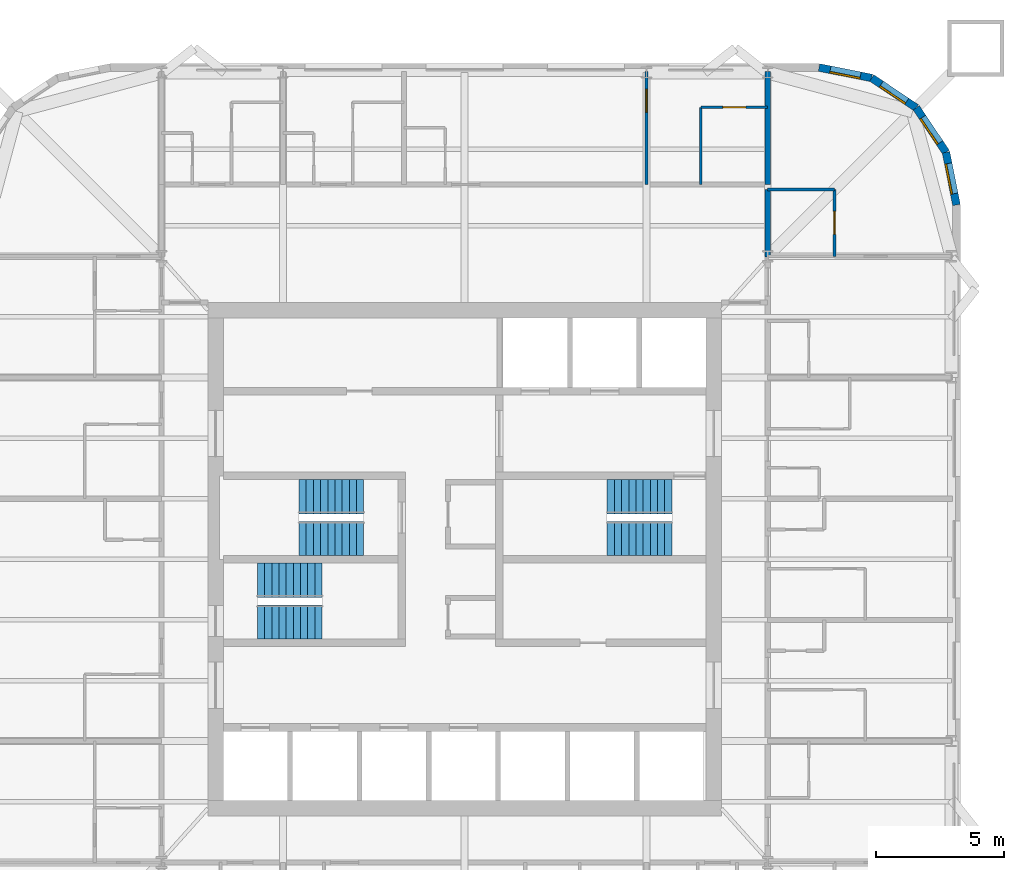
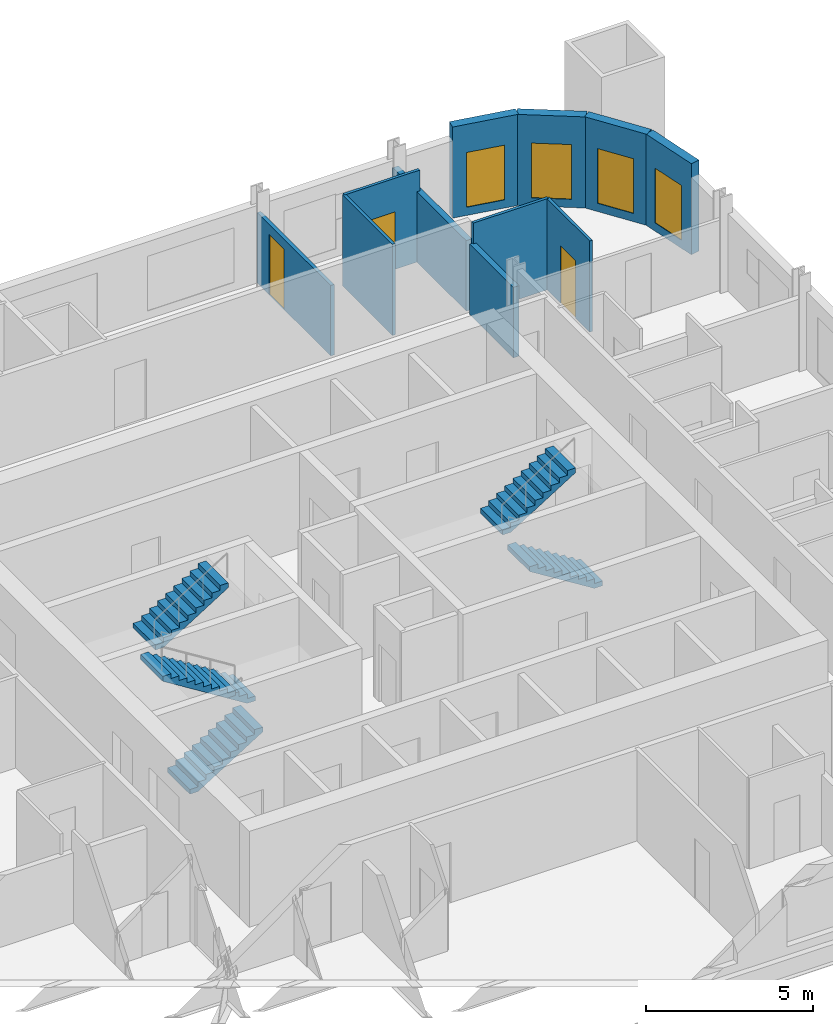
# One storey, part 8 of 9: 11 walls, 6 stair flights, 4 windows, 3 doors, 7 openings, 3 elements without a shape of their own.
"""IFC4 building model written with IfcOpenShell, lengths in metres."""

from ifc_helpers import new_model, si_unit, direction, frame, frame_2d, origin, place, context, subcontext, project, spatial, polyline, rectangle, outline, extrude, material, layer, layer_set, type_object, element, fill, aggregate, save


model = new_model("IFC4")

# Units and contexts
model_context = context("Model", 3, precision=1e-05, world=origin(), true_north=direction((0.0, 1.0)))
body_context = subcontext(model_context, "Body", "Model", "MODEL_VIEW")
ifc_project = project(units=[si_unit("LENGTHUNIT", "METRE"), si_unit("AREAUNIT", "SQUARE_METRE"), si_unit("VOLUMEUNIT", "CUBIC_METRE"), si_unit("PLANEANGLEUNIT", "RADIAN"), si_unit("MASSUNIT", "GRAM", prefix="KILO")], contexts=[model_context])

# Site, building, storey
site_placement = place(None, origin())
site = spatial("IfcSite", under=ifc_project, at=site_placement, CompositionType="ELEMENT")
building_placement = place(site_placement, origin())
building = spatial("IfcBuilding", under=site, at=building_placement, Name="Turquesa Mirador Hotel Tower", CompositionType="ELEMENT")
storey_placement = place(building_placement, frame((0.0, 0.0, 207.300048828125)))
storey = spatial("IfcBuildingStorey", under=building, at=storey_placement, Name="L56", CompositionType="ELEMENT", Elevation=207.300048828125)

# Wall
ifc_material_1 = material(Name="Gypsum board on steel studs", Category="steel")
ifc_layer_1 = layer(ifc_material_1, 0.10009765625)
ifc_layer_set_1 = layer_set([ifc_layer_1], Name="BATHROOM WALL 100")
wall_type_1 = type_object("IfcWallType", Name="BATHROOM WALL 100", PredefinedType="PARTITIONING", material=ifc_layer_set_1)
wall_1_placement = place(storey_placement, frame((66.800048828125, 59.39990234375, 0.0), z_axis=(0.0, 0.0, 1.0), x_axis=(1.0, 0.0, 0.0)))
element("IfcWall", 1, at=wall_1_placement, inside=storey, type_object=wall_type_1, Name="Partition L56 027", PredefinedType="PARTITIONING", context=body_context, shape_type="SweptSolid", body=[
    extrude(rectangle(XDim=2.599853515625, YDim=0.10009765625, at=frame_2d((1.2998046875, 0.0))), origin(), (0.0, 0.0, 1.0), 3.329833984375),
])

# Wall, opening, door
wall_2_placement = place(storey_placement, frame((64.199951171875, 62.60009765625, 0.0), z_axis=(0.0, 0.0, 1.0), x_axis=(1.0, 0.0, 0.0)))
wall_2 = element("IfcWall", 2, at=wall_2_placement, inside=storey, type_object=wall_type_1, Name="Partition L56 032", PredefinedType="PARTITIONING", context=body_context, shape_type="SweptSolid", body=[
    extrude(rectangle(XDim=2.60009765625, YDim=0.10009765625, at=frame_2d((1.300048828125, 0.0))), origin(), (0.0, 0.0, 1.0), 3.329833984375),
])
opening_1_placement = place(wall_2_placement, frame((0.85009765625, 0.0, 0.0)))
opening_1 = element("IfcOpeningElement", 3, at=opening_1_placement, cuts=wall_2, Name="Opening D02", PredefinedType="OPENING", context=body_context, shape_type="SweptSolid", body=[
    extrude(rectangle(XDim=0.89990234375, YDim=2.10009765625, at=frame_2d((0.449951171875, 1.050048828125))), frame((0.0, 0.06005859375, 0.0), z_axis=(0.0, -1.0, 0.0), x_axis=(1.0, 0.0, 0.0)), (0.0, 0.0, 1.0), 0.1201171875),
])
ifc_material_2 = material(Name="Timber veneered door", Category="wood")
door_type_1 = type_object("IfcDoorType", Name="DOOR 900X2100 EN-SUITE", OperationType="SINGLE_SWING_RIGHT", PredefinedType="DOOR", material=ifc_material_2)
door_1_placement = place(opening_1_placement, origin())
door_1 = element("IfcDoor", 4, at=door_1_placement, inside=storey, type_object=door_type_1, Name="Door 5603B", OperationType="SINGLE_SWING_RIGHT", OverallHeight=2.10009765625, OverallWidth=0.89990234375, PredefinedType="DOOR", context=body_context, shape_type="SweptSolid", body=[
    extrude(rectangle(XDim=0.89990234375, YDim=2.10009765625, at=frame_2d((0.449951171875, 1.050048828125))), frame((0.0, 0.02490234375, 0.0), z_axis=(0.0, -1.0, 0.0), x_axis=(1.0, 0.0, 0.0)), (0.0, 0.0, 1.0), 0.050048828125),
])
fill(opening_1, door_1)

wall_3_placement = place(storey_placement, frame((69.39990234375, 56.800048828125, 0.0), z_axis=(0.0, 0.0, 1.0), x_axis=(0.0, 1.0, 0.0)))
wall_3 = element("IfcWall", 5, at=wall_3_placement, inside=storey, type_object=wall_type_1, Name="Partition L56 075", PredefinedType="PARTITIONING", context=body_context, shape_type="SweptSolid", body=[
    extrude(rectangle(XDim=2.599853515625, YDim=0.10009765625, at=frame_2d((1.2998046875, 0.0))), origin(), (0.0, 0.0, 1.0), 3.329833984375),
])
opening_2_placement = place(wall_3_placement, frame((0.85009765625, 0.0, 0.0)))
opening_2 = element("IfcOpeningElement", 6, at=opening_2_placement, cuts=wall_3, Name="Opening D02", PredefinedType="OPENING", context=body_context, shape_type="SweptSolid", body=[
    extrude(rectangle(XDim=0.89990234375, YDim=2.10009765625, at=frame_2d((0.449951171875, 1.050048828125))), frame((0.0, 0.06005859375, 0.0), z_axis=(0.0, -1.0, 0.0), x_axis=(1.0, 0.0, 0.0)), (0.0, 0.0, 1.0), 0.1201171875),
])
door_2_placement = place(opening_2_placement, origin())
door_2 = element("IfcDoor", 7, at=door_2_placement, inside=storey, type_object=door_type_1, Name="Door 5612B", OperationType="SINGLE_SWING_RIGHT", OverallHeight=2.10009765625, OverallWidth=0.89990234375, PredefinedType="DOOR", context=body_context, shape_type="SweptSolid", body=[
    extrude(rectangle(XDim=0.89990234375, YDim=2.10009765625, at=frame_2d((0.449951171875, 1.050048828125))), frame((0.0, 0.02490234375, 0.0), z_axis=(0.0, -1.0, 0.0), x_axis=(1.0, 0.0, 0.0)), (0.0, 0.0, 1.0), 0.050048828125),
])
fill(opening_2, door_2)

# Walls
wall_4_placement = place(storey_placement, frame((64.199951171875, 59.60009765625, 0.0), z_axis=(0.0, 0.0, 1.0), x_axis=(0.0, 1.0, 0.0)))
element("IfcWall", 8, at=wall_4_placement, inside=storey, type_object=wall_type_1, Name="Partition L56 084", PredefinedType="PARTITIONING", context=body_context, shape_type="SweptSolid", body=[
    extrude(rectangle(XDim=3.0, YDim=0.10009765625, at=frame_2d((1.5, 0.0))), origin(), (0.0, 0.0, 1.0), 3.329833984375),
])
ifc_material_3 = material(Name="Fire-rated gypsum board on steel studs", Category="steel")
ifc_layer_2 = layer(ifc_material_3, 0.199951171875)
ifc_layer_set_2 = layer_set([ifc_layer_2], Name="CORRIDOR WALL 200")
wall_type_2 = type_object("IfcWallType", Name="CORRIDOR WALL 200", PredefinedType="PARTITIONING", material=ifc_layer_set_2)
wall_5_placement = place(storey_placement, frame((66.800048828125, 56.780029296875, 0.0), z_axis=(0.0, 0.0, 1.0), x_axis=(0.0, 1.0, 0.0)))
element("IfcWall", 9, at=wall_5_placement, inside=storey, type_object=wall_type_2, Name="Partition L56 086", PredefinedType="PARTITIONING", context=body_context, shape_type="SweptSolid", body=[
    extrude(rectangle(XDim=2.619873046875, YDim=0.199951171875, at=frame_2d((1.31005859375, 0.0))), origin(), (0.0, 0.0, 1.0), 2.572998046875),
])

# Wall, opening, window
ifc_material_4 = material(Name="Limestone cladding on concrete block", Category="masonry")
ifc_layer_3 = layer(ifc_material_4, 0.300048828125)
ifc_layer_set_3 = layer_set([ifc_layer_3], Name="FACADE WALL 300 STONE SCREEN")
wall_type_3 = type_object("IfcWallType", Name="FACADE WALL 300 STONE SCREEN", PredefinedType="SOLIDWALL", material=ifc_layer_set_3)
wall_6_placement = place(storey_placement, frame((74.14990234375, 58.800048828125, 0.0), z_axis=(0.0, 0.0, 1.0), x_axis=(-0.195081421501, 0.980787050784, 0.0)))
wall_6 = element("IfcWall", 10, at=wall_6_placement, inside=storey, type_object=wall_type_3, Name="Facade wall L56 05", PredefinedType="SOLIDWALL", context=body_context, shape_type="SweptSolid", body=[
    extrude(rectangle(XDim=2.08740234375, YDim=0.300048828125, at=frame_2d((1.043701171875, 0.0))), origin(), (0.0, 0.0, 1.0), 3.329833984375),
])
opening_3_placement = place(wall_6_placement, frame((0.443603515625, 0.0, 0.300048828125)))
opening_3 = element("IfcOpeningElement", 11, at=opening_3_placement, cuts=wall_6, Name="Opening WN4", PredefinedType="OPENING", context=body_context, shape_type="SweptSolid", body=[
    extrude(rectangle(XDim=1.199951171875, YDim=2.0, at=frame_2d((0.60009765625, 1.0))), frame((0.0, 0.159912109375, 0.0), z_axis=(0.0, -1.0, 0.0), x_axis=(1.0, 0.0, 0.0)), (0.0, 0.0, 1.0), 0.320068359375),
])
ifc_material_5 = material(Name="Ceramic-fritted laminated glass", Category="glass")
window_type = type_object("IfcWindowType", Name="FRITTED CORNER WINDOW 1200X2000", PartitioningType="DOUBLE_PANEL_HORIZONTAL", PredefinedType="WINDOW", material=ifc_material_5)
window_1_placement = place(opening_3_placement, origin())
window_1 = element("IfcWindow", 12, at=window_1_placement, inside=storey, type_object=window_type, Name="Window L56", OverallHeight=2.0, OverallWidth=1.199951171875, PartitioningType="SINGLE_PANEL", PredefinedType="WINDOW", context=body_context, shape_type="SweptSolid", body=[
    extrude(rectangle(XDim=1.199951171875, YDim=2.0, at=frame_2d((0.60009765625, 1.0))), frame((0.0, 0.130126953125, 0.0), z_axis=(0.0, -1.0, 0.0), x_axis=(1.0, 0.0, 0.0)), (0.0, 0.0, 1.0), 0.06005859375),
])
fill(opening_3, window_1)

wall_7_placement = place(storey_placement, frame((73.74267578125, 60.847412109375, 0.0), z_axis=(0.0, 0.0, 1.0), x_axis=(-0.555563607591, 0.831474039234, 0.0)))
wall_7 = element("IfcWall", 13, at=wall_7_placement, inside=storey, type_object=wall_type_3, Name="Facade wall L56 06", PredefinedType="SOLIDWALL", context=body_context, shape_type="SweptSolid", body=[
    extrude(rectangle(XDim=2.08740234375, YDim=0.300048828125, at=frame_2d((1.043701171875, 0.0))), origin(), (0.0, 0.0, 1.0), 3.329833984375),
])
opening_4_placement = place(wall_7_placement, frame((0.443603515625, 0.0, 0.300048828125)))
opening_4 = element("IfcOpeningElement", 14, at=opening_4_placement, cuts=wall_7, Name="Opening WN4", PredefinedType="OPENING", context=body_context, shape_type="SweptSolid", body=[
    extrude(rectangle(XDim=1.199951171875, YDim=2.0, at=frame_2d((0.60009765625, 1.0))), frame((0.0, 0.159912109375, 0.0), z_axis=(0.0, -1.0, 0.0), x_axis=(1.0, 0.0, 0.0)), (0.0, 0.0, 1.0), 0.320068359375),
])
window_2_placement = place(opening_4_placement, origin())
window_2 = element("IfcWindow", 15, at=window_2_placement, inside=storey, type_object=window_type, Name="Window L56", OverallHeight=2.0, OverallWidth=1.199951171875, PartitioningType="SINGLE_PANEL", PredefinedType="WINDOW", context=body_context, shape_type="SweptSolid", body=[
    extrude(rectangle(XDim=1.199951171875, YDim=2.0, at=frame_2d((0.60009765625, 1.0))), frame((0.0, 0.130126953125, 0.0), z_axis=(0.0, -1.0, 0.0), x_axis=(1.0, 0.0, 0.0)), (0.0, 0.0, 1.0), 0.06005859375),
])
fill(opening_4, window_2)

wall_8_placement = place(storey_placement, frame((72.5830078125, 62.5830078125, 0.0), z_axis=(0.0, 0.0, 1.0), x_axis=(-0.831474039234, 0.555563607591, 0.0)))
wall_8 = element("IfcWall", 16, at=wall_8_placement, inside=storey, type_object=wall_type_3, Name="Facade wall L56 07", PredefinedType="SOLIDWALL", context=body_context, shape_type="SweptSolid", body=[
    extrude(rectangle(XDim=2.08740234375, YDim=0.300048828125, at=frame_2d((1.043701171875, 0.0))), origin(), (0.0, 0.0, 1.0), 3.329833984375),
])
opening_5_placement = place(wall_8_placement, frame((0.443603515625, 0.0, 0.300048828125)))
opening_5 = element("IfcOpeningElement", 17, at=opening_5_placement, cuts=wall_8, Name="Opening WN4", PredefinedType="OPENING", context=body_context, shape_type="SweptSolid", body=[
    extrude(rectangle(XDim=1.199951171875, YDim=2.0, at=frame_2d((0.60009765625, 1.0))), frame((0.0, 0.159912109375, 0.0), z_axis=(0.0, -1.0, 0.0), x_axis=(1.0, 0.0, 0.0)), (0.0, 0.0, 1.0), 0.320068359375),
])
window_3_placement = place(opening_5_placement, origin())
window_3 = element("IfcWindow", 18, at=window_3_placement, inside=storey, type_object=window_type, Name="Window L56", OverallHeight=2.0, OverallWidth=1.199951171875, PartitioningType="SINGLE_PANEL", PredefinedType="WINDOW", context=body_context, shape_type="SweptSolid", body=[
    extrude(rectangle(XDim=1.199951171875, YDim=2.0, at=frame_2d((0.60009765625, 1.0))), frame((0.0, 0.130126953125, 0.0), z_axis=(0.0, -1.0, 0.0), x_axis=(1.0, 0.0, 0.0)), (0.0, 0.0, 1.0), 0.06005859375),
])
fill(opening_5, window_3)

wall_9_placement = place(storey_placement, frame((70.847412109375, 63.74267578125, 0.0), z_axis=(0.0, 0.0, 1.0), x_axis=(-0.980787050784, 0.195081421501, 0.0)))
wall_9 = element("IfcWall", 19, at=wall_9_placement, inside=storey, type_object=wall_type_3, Name="Facade wall L56 08", PredefinedType="SOLIDWALL", context=body_context, shape_type="SweptSolid", body=[
    extrude(rectangle(XDim=2.08740234375, YDim=0.300048828125, at=frame_2d((1.043701171875, 0.0))), origin(), (0.0, 0.0, 1.0), 3.329833984375),
])
opening_6_placement = place(wall_9_placement, frame((0.443603515625, 0.0, 0.300048828125)))
opening_6 = element("IfcOpeningElement", 20, at=opening_6_placement, cuts=wall_9, Name="Opening WN4", PredefinedType="OPENING", context=body_context, shape_type="SweptSolid", body=[
    extrude(rectangle(XDim=1.199951171875, YDim=2.0, at=frame_2d((0.60009765625, 1.0))), frame((0.0, 0.159912109375, 0.0), z_axis=(0.0, -1.0, 0.0), x_axis=(1.0, 0.0, 0.0)), (0.0, 0.0, 1.0), 0.320068359375),
])
window_4_placement = place(opening_6_placement, origin())
window_4 = element("IfcWindow", 21, at=window_4_placement, inside=storey, type_object=window_type, Name="Window L56", OverallHeight=2.0, OverallWidth=1.199951171875, PartitioningType="SINGLE_PANEL", PredefinedType="WINDOW", context=body_context, shape_type="SweptSolid", body=[
    extrude(rectangle(XDim=1.199951171875, YDim=2.0, at=frame_2d((0.60009765625, 1.0))), frame((0.0, 0.130126953125, 0.0), z_axis=(0.0, -1.0, 0.0), x_axis=(1.0, 0.0, 0.0)), (0.0, 0.0, 1.0), 0.06005859375),
])
fill(opening_6, window_4)

# Wall
ifc_material_6 = material(Name="Fire-rated gypsum board on steel studs", Category="steel")
ifc_layer_4 = layer(ifc_material_6, 0.199951171875)
ifc_layer_set_4 = layer_set([ifc_layer_4], Name="PARTY WALL 200")
wall_type_4 = type_object("IfcWallType", Name="PARTY WALL 200", PredefinedType="PARTITIONING", material=ifc_layer_set_4)
wall_10_placement = place(storey_placement, frame((66.800048828125, 59.60009765625, 0.0), z_axis=(0.0, 0.0, 1.0), x_axis=(0.0, 1.0, 0.0)))
element("IfcWall", 22, at=wall_10_placement, inside=storey, type_object=wall_type_4, Name="Partition L56 068", PredefinedType="PARTITIONING", context=body_context, shape_type="SweptSolid", body=[
    extrude(rectangle(XDim=4.39990234375, YDim=0.199951171875, at=frame_2d((2.199951171875, 0.0))), origin(), (0.0, 0.0, 1.0), 2.572998046875),
])

# Wall, opening, door
ifc_material_7 = material(Name="Acoustic gypsum board on steel studs", Category="steel")
ifc_layer_5 = layer(ifc_material_7, 0.125)
ifc_layer_set_5 = layer_set([ifc_layer_5], Name="SUITE PARTITION 125")
wall_type_5 = type_object("IfcWallType", Name="SUITE PARTITION 125", PredefinedType="PARTITIONING", material=ifc_layer_set_5)
wall_11_placement = place(storey_placement, frame((62.080078125, 59.60009765625, 0.0), z_axis=(0.0, 0.0, 1.0), x_axis=(0.0, 1.0, 0.0)))
wall_11 = element("IfcWall", 23, at=wall_11_placement, inside=storey, type_object=wall_type_5, Name="Partition L56 082", PredefinedType="PARTITIONING", context=body_context, shape_type="SweptSolid", body=[
    extrude(rectangle(XDim=4.39990234375, YDim=0.125, at=frame_2d((2.199951171875, 0.0))), origin(), (0.0, 0.0, 1.0), 2.572998046875),
])
opening_7_placement = place(wall_11_placement, frame((2.800048828125, 0.0, 0.0)))
opening_7 = element("IfcOpeningElement", 24, at=opening_7_placement, cuts=wall_11, Name="Opening D17", PredefinedType="OPENING", context=body_context, shape_type="SweptSolid", body=[
    extrude(rectangle(XDim=0.89990234375, YDim=2.199951171875, at=frame_2d((0.449951171875, 1.10009765625))), frame((0.0, 0.072509765625, 0.0), z_axis=(0.0, -1.0, 0.0), x_axis=(1.0, 0.0, 0.0)), (0.0, 0.0, 1.0), 0.14501953125),
])
ifc_material_8 = material(Name="Timber veneered door", Category="wood")
door_type_2 = type_object("IfcDoorType", Name="DOOR 900X2200 SUITE INTERNAL", OperationType="SINGLE_SWING_LEFT", PredefinedType="DOOR", material=ifc_material_8)
door_3_placement = place(opening_7_placement, origin())
door_3 = element("IfcDoor", 25, at=door_3_placement, inside=storey, type_object=door_type_2, Name="Door 5603R", OperationType="SINGLE_SWING_LEFT", OverallHeight=2.199951171875, OverallWidth=0.89990234375, PredefinedType="DOOR", context=body_context, shape_type="SweptSolid", body=[
    extrude(rectangle(XDim=0.89990234375, YDim=2.199951171875, at=frame_2d((0.449951171875, 1.10009765625))), frame((0.0, 0.02490234375, 0.0), z_axis=(0.0, -1.0, 0.0), x_axis=(1.0, 0.0, 0.0)), (0.0, 0.0, 1.0), 0.050048828125),
])
fill(opening_7, door_3)

# Stair, stair flights
ifc_material_9 = material(Name="Concrete C35/45", Category="concrete")
stair_type = type_object("IfcStairType", Name="ESCAPE STAIR CORE", PredefinedType="HALF_TURN_STAIR", material=ifc_material_9)
stair_1_placement = place(storey_placement, origin())
stair_1 = element("IfcStair", 26, at=stair_1_placement, inside=storey, type_object=stair_type, Name="Stair ST1 L56 to L57", PredefinedType="HALF_TURN_STAIR")
ifc_material_10 = material(Name="Concrete C35/45 precast flight", Category="concrete")
stair_flight_type = type_object("IfcStairFlightType", Name="STAIR FLIGHT 1330", PredefinedType="STRAIGHT", material=ifc_material_10)
stair_flight_1_placement = place(storey_placement, frame((51.070068359375, 45.81494140625, 0.0), z_axis=(0.0, 0.0, 1.0), x_axis=(-1.0, 0.0, 0.0)))
stair_flight_1 = element("IfcStairFlight", 27, at=stair_flight_1_placement, type_object=stair_flight_type, Name="ST1 flight 1", NumberOfRisers=10, NumberOfTreads=9, PredefinedType="STRAIGHT", RiserHeight=0.175, TreadLength=0.28, context=body_context, shape_type="SweptSolid", body=[
    extrude(outline(polyline([(0.0, 0.0), (0.0, 0.175048828125), (0.280029296875, 0.175048828125), (0.280029296875, 0.35009765625), (0.56005859375, 0.35009765625), (0.56005859375, 0.52490234375), (0.840087890625, 0.52490234375), (0.840087890625, 0.699951171875), (1.1201171875, 0.699951171875), (1.1201171875, 0.875), (1.39990234375, 0.875), (1.39990234375, 1.050048828125), (1.679931640625, 1.050048828125), (1.679931640625, 1.22509765625), (1.9599609375, 1.22509765625), (1.9599609375, 1.39990234375), (2.239990234375, 1.39990234375), (2.239990234375, 1.574951171875), (2.52001953125, 1.574951171875), (2.52001953125, 1.75), (2.52001953125, 1.398193359375), (0.28271484375, 0.0), (0.0, 0.0)])), frame((0.0, 0.6650390625, 0.0), z_axis=(0.0, -1.0, 0.0), x_axis=(1.0, 0.0, 0.0)), (0.0, 0.0, 1.0), 1.330078125),
])
stair_flight_2_placement = place(storey_placement, frame((48.550048828125, 47.43505859375, 1.75), z_axis=(0.0, 0.0, 1.0), x_axis=(1.0, 0.0, 0.0)))
stair_flight_2 = element("IfcStairFlight", 28, at=stair_flight_2_placement, type_object=stair_flight_type, Name="ST1 flight 2", NumberOfRisers=10, NumberOfTreads=9, PredefinedType="STRAIGHT", RiserHeight=0.175, TreadLength=0.28, context=body_context, shape_type="SweptSolid", body=[
    extrude(outline(polyline([(0.0, 0.0), (0.0, 0.175048828125), (0.280029296875, 0.175048828125), (0.280029296875, 0.35009765625), (0.56005859375, 0.35009765625), (0.56005859375, 0.52490234375), (0.840087890625, 0.52490234375), (0.840087890625, 0.699951171875), (1.1201171875, 0.699951171875), (1.1201171875, 0.875), (1.39990234375, 0.875), (1.39990234375, 1.050048828125), (1.679931640625, 1.050048828125), (1.679931640625, 1.22509765625), (1.9599609375, 1.22509765625), (1.9599609375, 1.39990234375), (2.239990234375, 1.39990234375), (2.239990234375, 1.574951171875), (2.52001953125, 1.574951171875), (2.52001953125, 1.75), (2.52001953125, 1.398193359375), (0.28271484375, 0.0), (0.0, 0.0)])), frame((0.0, 0.6650390625, 0.0), z_axis=(0.0, -1.0, 0.0), x_axis=(1.0, 0.0, 0.0)), (0.0, 0.0, 1.0), 1.330078125),
])
aggregate(stair_1, [stair_flight_1, stair_flight_2])

stair_2_placement = place(storey_placement, origin())
stair_2 = element("IfcStair", 29, at=stair_2_placement, inside=storey, type_object=stair_type, Name="Stair ST2 L56 to L57", PredefinedType="HALF_TURN_STAIR")
stair_flight_3_placement = place(storey_placement, frame((46.929931640625, 42.56494140625, 0.0), z_axis=(0.0, 0.0, 1.0), x_axis=(1.0, 0.0, 0.0)))
stair_flight_3 = element("IfcStairFlight", 30, at=stair_flight_3_placement, type_object=stair_flight_type, Name="ST2 flight 1", NumberOfRisers=10, NumberOfTreads=9, PredefinedType="STRAIGHT", RiserHeight=0.175, TreadLength=0.28, context=body_context, shape_type="SweptSolid", body=[
    extrude(outline(polyline([(0.0, 0.0), (0.0, 0.175048828125), (0.280029296875, 0.175048828125), (0.280029296875, 0.35009765625), (0.56005859375, 0.35009765625), (0.56005859375, 0.52490234375), (0.840087890625, 0.52490234375), (0.840087890625, 0.699951171875), (1.1201171875, 0.699951171875), (1.1201171875, 0.875), (1.39990234375, 0.875), (1.39990234375, 1.050048828125), (1.679931640625, 1.050048828125), (1.679931640625, 1.22509765625), (1.9599609375, 1.22509765625), (1.9599609375, 1.39990234375), (2.239990234375, 1.39990234375), (2.239990234375, 1.574951171875), (2.52001953125, 1.574951171875), (2.52001953125, 1.75), (2.52001953125, 1.398193359375), (0.28271484375, 0.0), (0.0, 0.0)])), frame((0.0, 0.6650390625, 0.0), z_axis=(0.0, -1.0, 0.0), x_axis=(1.0, 0.0, 0.0)), (0.0, 0.0, 1.0), 1.330078125),
])
stair_flight_4_placement = place(storey_placement, frame((49.449951171875, 44.18505859375, 1.75), z_axis=(0.0, 0.0, 1.0), x_axis=(-1.0, 0.0, 0.0)))
stair_flight_4 = element("IfcStairFlight", 31, at=stair_flight_4_placement, type_object=stair_flight_type, Name="ST2 flight 2", NumberOfRisers=10, NumberOfTreads=9, PredefinedType="STRAIGHT", RiserHeight=0.175, TreadLength=0.28, context=body_context, shape_type="SweptSolid", body=[
    extrude(outline(polyline([(0.0, 0.0), (0.0, 0.175048828125), (0.280029296875, 0.175048828125), (0.280029296875, 0.35009765625), (0.56005859375, 0.35009765625), (0.56005859375, 0.52490234375), (0.840087890625, 0.52490234375), (0.840087890625, 0.699951171875), (1.1201171875, 0.699951171875), (1.1201171875, 0.875), (1.39990234375, 0.875), (1.39990234375, 1.050048828125), (1.679931640625, 1.050048828125), (1.679931640625, 1.22509765625), (1.9599609375, 1.22509765625), (1.9599609375, 1.39990234375), (2.239990234375, 1.39990234375), (2.239990234375, 1.574951171875), (2.52001953125, 1.574951171875), (2.52001953125, 1.75), (2.52001953125, 1.398193359375), (0.28271484375, 0.0), (0.0, 0.0)])), frame((0.0, 0.6650390625, 0.0), z_axis=(0.0, -1.0, 0.0), x_axis=(1.0, 0.0, 0.0)), (0.0, 0.0, 1.0), 1.330078125),
])
aggregate(stair_2, [stair_flight_3, stair_flight_4])

stair_3_placement = place(storey_placement, origin())
stair_3 = element("IfcStair", 32, at=stair_3_placement, inside=storey, type_object=stair_type, Name="Stair ST3 L56 to L57", PredefinedType="HALF_TURN_STAIR")
stair_flight_5_placement = place(storey_placement, frame((63.070068359375, 45.81494140625, 0.0), z_axis=(0.0, 0.0, 1.0), x_axis=(-1.0, 0.0, 0.0)))
stair_flight_5 = element("IfcStairFlight", 33, at=stair_flight_5_placement, type_object=stair_flight_type, Name="ST3 flight 1", NumberOfRisers=10, NumberOfTreads=9, PredefinedType="STRAIGHT", RiserHeight=0.175, TreadLength=0.28, context=body_context, shape_type="SweptSolid", body=[
    extrude(outline(polyline([(0.0, 0.0), (0.0, 0.175048828125), (0.280029296875, 0.175048828125), (0.280029296875, 0.35009765625), (0.56005859375, 0.35009765625), (0.56005859375, 0.52490234375), (0.840087890625, 0.52490234375), (0.840087890625, 0.699951171875), (1.1201171875, 0.699951171875), (1.1201171875, 0.875), (1.39990234375, 0.875), (1.39990234375, 1.050048828125), (1.679931640625, 1.050048828125), (1.679931640625, 1.22509765625), (1.9599609375, 1.22509765625), (1.9599609375, 1.39990234375), (2.239990234375, 1.39990234375), (2.239990234375, 1.574951171875), (2.52001953125, 1.574951171875), (2.52001953125, 1.75), (2.52001953125, 1.398193359375), (0.28271484375, 0.0), (0.0, 0.0)])), frame((0.0, 0.6650390625, 0.0), z_axis=(0.0, -1.0, 0.0), x_axis=(1.0, 0.0, 0.0)), (0.0, 0.0, 1.0), 1.330078125),
])
stair_flight_6_placement = place(storey_placement, frame((60.550048828125, 47.43505859375, 1.75), z_axis=(0.0, 0.0, 1.0), x_axis=(1.0, 0.0, 0.0)))
stair_flight_6 = element("IfcStairFlight", 34, at=stair_flight_6_placement, type_object=stair_flight_type, Name="ST3 flight 2", NumberOfRisers=10, NumberOfTreads=9, PredefinedType="STRAIGHT", RiserHeight=0.175, TreadLength=0.28, context=body_context, shape_type="SweptSolid", body=[
    extrude(outline(polyline([(0.0, 0.0), (0.0, 0.175048828125), (0.280029296875, 0.175048828125), (0.280029296875, 0.35009765625), (0.56005859375, 0.35009765625), (0.56005859375, 0.52490234375), (0.840087890625, 0.52490234375), (0.840087890625, 0.699951171875), (1.1201171875, 0.699951171875), (1.1201171875, 0.875), (1.39990234375, 0.875), (1.39990234375, 1.050048828125), (1.679931640625, 1.050048828125), (1.679931640625, 1.22509765625), (1.9599609375, 1.22509765625), (1.9599609375, 1.39990234375), (2.239990234375, 1.39990234375), (2.239990234375, 1.574951171875), (2.52001953125, 1.574951171875), (2.52001953125, 1.75), (2.52001953125, 1.398193359375), (0.28271484375, 0.0), (0.0, 0.0)])), frame((0.0, 0.6650390625, 0.0), z_axis=(0.0, -1.0, 0.0), x_axis=(1.0, 0.0, 0.0)), (0.0, 0.0, 1.0), 1.330078125),
])
aggregate(stair_3, [stair_flight_5, stair_flight_6])

save(model, "model.ifc")
